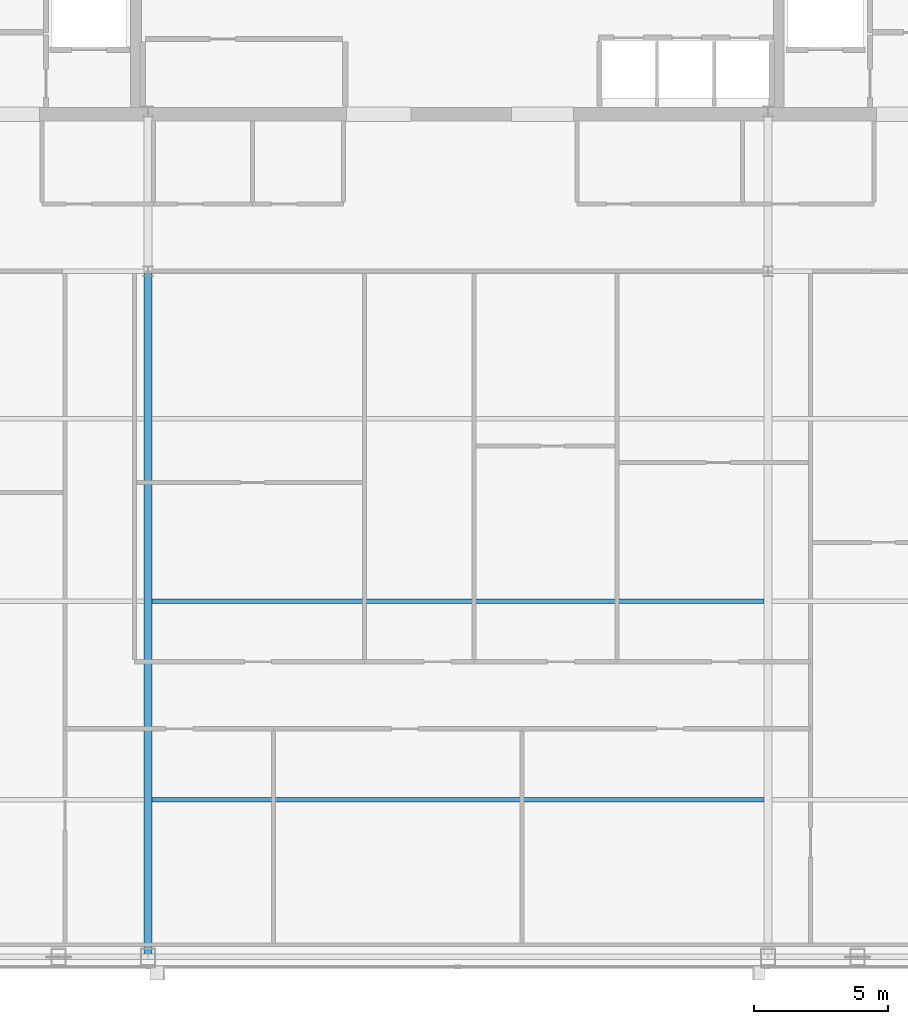
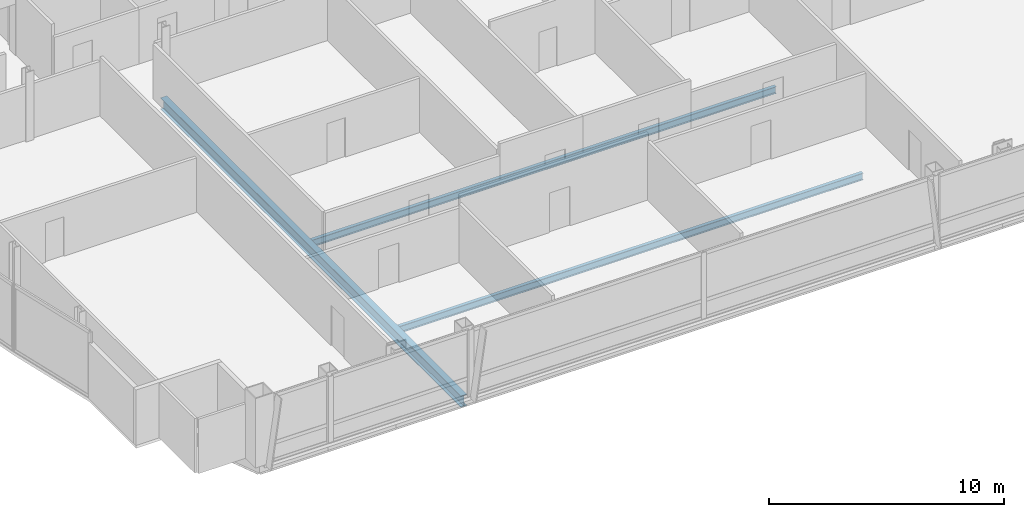
# One storey, part 10 of 29: 3 beams.
"""IFC4 building model written with IfcOpenShell, lengths in metres."""

from ifc_helpers import new_model, si_unit, direction, frame, origin, origin_2d, place, context, subcontext, project, spatial, i_section, extrude, material, material_profile, profile_set, type_object, element, save


model = new_model("IFC4")

# Units and contexts
model_context = context("Model", 3, precision=1e-05, world=origin(), true_north=direction((0.0, 1.0)))
body_context = subcontext(model_context, "Body", "Model", "MODEL_VIEW")
ifc_project = project(units=[si_unit("LENGTHUNIT", "METRE"), si_unit("AREAUNIT", "SQUARE_METRE"), si_unit("VOLUMEUNIT", "CUBIC_METRE"), si_unit("PLANEANGLEUNIT", "RADIAN"), si_unit("MASSUNIT", "GRAM", prefix="KILO")], contexts=[model_context])

# Site, building, storey
site_placement = place(None, origin())
site = spatial("IfcSite", under=ifc_project, at=site_placement, CompositionType="ELEMENT")
building_placement = place(site_placement, origin())
building = spatial("IfcBuilding", under=site, at=building_placement, Name="Khoronbel Lancet Exchange", CompositionType="ELEMENT")
storey_placement = place(building_placement, frame((0.0, 0.0, 321.800048828125)))
storey = spatial("IfcBuildingStorey", under=building, at=storey_placement, Name="L83", CompositionType="ELEMENT", Elevation=321.800048828125)

# Beams
ifc_material = material(Name="Steel S355", Category="steel")
ifc_material_profile_1 = material_profile(ifc_material, i_section(OverallWidth=0.300048828125, OverallDepth=0.60009765625, WebThickness=0.015380859375, FlangeThickness=0.030029296875, at=origin_2d()), Name="HEB 600")
ifc_profile_set_1 = profile_set([ifc_material_profile_1], Name="Steel S355")
beam_type_1 = type_object("IfcBeamType", Name="BM-BG5", PredefinedType="BEAM", material=ifc_profile_set_1)
beam_placement = place(storey_placement, frame((24.89990234375, 10.14990234375, -0.4599609375), z_axis=(0.0, 1.0, 0.0), x_axis=(-1.0, 0.0, 0.0)))
element("IfcBeam", 1, at=beam_placement, inside=storey, type_object=beam_type_1, Name="Level L83 south primary girder GS2", PredefinedType="BEAM", context=body_context, shape_type="SweptSolid", body=[
    extrude(i_section(OverallWidth=0.300048828125, OverallDepth=0.60009765625, WebThickness=0.015380859375, FlangeThickness=0.030029296875, at=origin_2d()), origin(), (0.0, 0.0, 1.0), 25.550048828125),
])
ifc_material_profile_2 = material_profile(ifc_material, i_section(OverallWidth=0.169921875, OverallDepth=0.360107421875, WebThickness=0.008056640625, FlangeThickness=0.0126953125, at=origin_2d()), Name="IPE 360")
ifc_profile_set_2 = profile_set([ifc_material_profile_2], Name="Steel S355")
beam_type_2 = type_object("IfcBeamType", Name="BM-BJ6", PredefinedType="JOIST", material=ifc_profile_set_2)
for number, where, z_axis, x_axis, name in (
    (2, (25.050048828125, 16.0, -0.340087890625), (1.0, 0.0, 0.0), (0.0, 1.0, 0.0), "Level L83 secondary composite joist J02"),
    (3, (25.050048828125, 23.39990234375, -0.340087890625), (1.0, 0.0, 0.0), (0.0, 1.0, 0.0), "Level L83 secondary composite joist J05"),
):
    element("IfcBeam", number, at=place(storey_placement, frame(where, z_axis=z_axis, x_axis=x_axis)), inside=storey, type_object=beam_type_2, Name=name, PredefinedType="JOIST", context=body_context, shape_type="SweptSolid", body=[
        extrude(i_section(OverallWidth=0.169921875, OverallDepth=0.360107421875, WebThickness=0.008056640625, FlangeThickness=0.0126953125, at=origin_2d()), origin(), (0.0, 0.0, 1.0), 22.800048828125),
    ])

save(model, "model.ifc")
